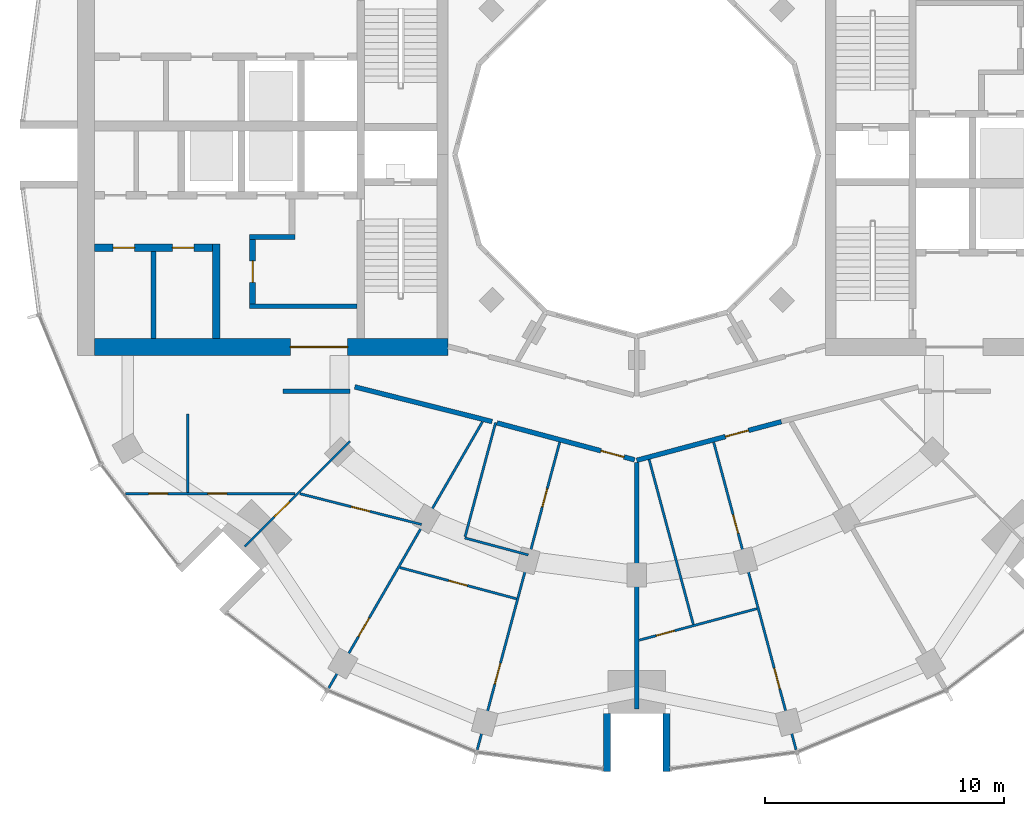
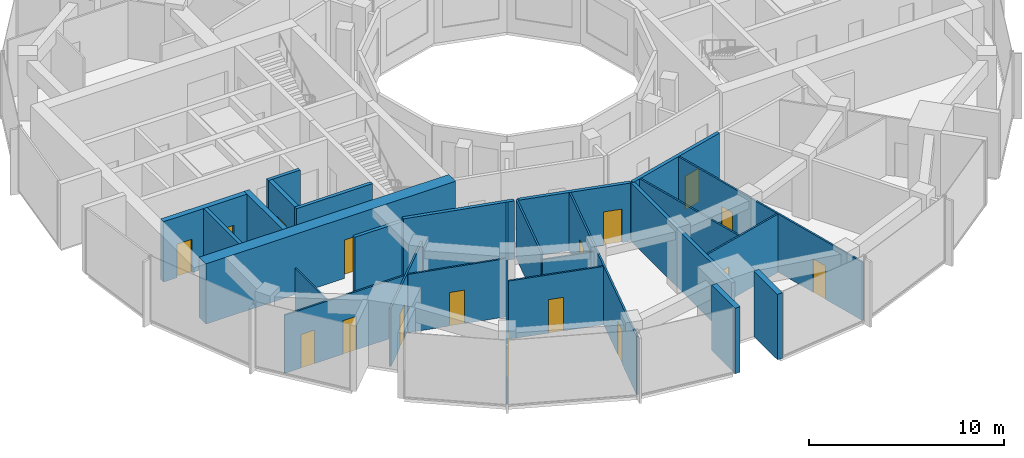
# One storey, part 8 of 15: 26 walls, 17 doors, 17 openings.
"""IFC4 building model written with IfcOpenShell, lengths in metres."""

from ifc_helpers import new_model, si_unit, direction, frame, frame_2d, origin, place, context, subcontext, project, spatial, rectangle, extrude, material, layer, layer_set, type_object, element, fill, save


model = new_model("IFC4")

# Units and contexts
model_context = context("Model", 3, precision=1e-05, world=origin(), true_north=direction((0.0, 1.0)))
body_context = subcontext(model_context, "Body", "Model", "MODEL_VIEW")
ifc_project = project(units=[si_unit("LENGTHUNIT", "METRE"), si_unit("AREAUNIT", "SQUARE_METRE"), si_unit("VOLUMEUNIT", "CUBIC_METRE"), si_unit("PLANEANGLEUNIT", "RADIAN"), si_unit("MASSUNIT", "GRAM", prefix="KILO")], contexts=[model_context])

# Site, building, storey
site_placement = place(None, origin())
site = spatial("IfcSite", under=ifc_project, at=site_placement, CompositionType="ELEMENT")
building_placement = place(site_placement, origin())
building = spatial("IfcBuilding", under=site, at=building_placement, Name="Torre Brocal", CompositionType="ELEMENT")
storey_placement = place(building_placement, frame((0.0, 0.0, 161.800048828125)))
storey = spatial("IfcBuildingStorey", under=building, at=storey_placement, Name="L37", CompositionType="ELEMENT", Elevation=161.800048828125)

# Walls
ifc_material_1 = material(Name="Masonry block", Category="masonry")
ifc_layer_1 = layer(ifc_material_1, 0.199951171875)
ifc_layer_set_1 = layer_set([ifc_layer_1], Name="Masonry block")
wall_type_1 = type_object("IfcWallType", Name="CORE PARTITION 200", PredefinedType="PARTITIONING", material=ifc_layer_set_1)
wall_1_placement = place(storey_placement, frame((59.77490234375, 70.949951171875, 0.0), z_axis=(0.0, 0.0, 1.0), x_axis=(0.0, -1.0, 0.0)))
element("IfcWall", 1, at=wall_1_placement, inside=storey, type_object=wall_type_1, Name="Wall CP200", PredefinedType="PARTITIONING", context=body_context, shape_type="SweptSolid", body=[
    extrude(rectangle(XDim=3.64990234375, YDim=0.199951171875, at=frame_2d((1.824951171875, 0.0))), origin(), (0.0, 0.0, 1.0), 3.780029296875),
])
ifc_material_2 = material(Name="Concrete C70", Category="concrete")
ifc_layer_2 = layer(ifc_material_2, 0.199951171875)
ifc_layer_set_2 = layer_set([ifc_layer_2], Name="Concrete C70")
wall_type_2 = type_object("IfcWallType", Name="CORE WALL 200 C70", PredefinedType="SHEAR", material=ifc_layer_set_2)
wall_2_placement = place(storey_placement, frame((68.300048828125, 68.64990234375, 0.0), z_axis=(0.0, 0.0, 1.0), x_axis=(-1.0, 0.0, 0.0)))
element("IfcWall", 2, at=wall_2_placement, inside=storey, type_object=wall_type_2, Name="Wall CW200-70", PredefinedType="SHEAR", context=body_context, shape_type="SweptSolid", body=[
    extrude(rectangle(XDim=4.5, YDim=0.199951171875, at=frame_2d((2.25, 0.0))), origin(), (0.0, 0.0, 1.0), 3.780029296875),
])
wall_3_placement = place(storey_placement, frame((65.699951171875, 71.550048828125, 0.0), z_axis=(0.0, 0.0, 1.0), x_axis=(-1.0, 0.0, 0.0)))
element("IfcWall", 3, at=wall_3_placement, inside=storey, type_object=wall_type_2, Name="Wall CW200-70", PredefinedType="SHEAR", context=body_context, shape_type="SweptSolid", body=[
    extrude(rectangle(XDim=1.89990234375, YDim=0.199951171875, at=frame_2d((0.949951171875, 0.0))), origin(), (0.0, 0.0, 1.0), 3.780029296875),
])

# Wall, opening, door
ifc_material_3 = material(Name="Concrete C70", Category="concrete")
ifc_layer_3 = layer(ifc_material_3, 0.25)
ifc_layer_set_3 = layer_set([ifc_layer_3], Name="Concrete C70")
wall_type_3 = type_object("IfcWallType", Name="CORE WALL 250 C70", PredefinedType="SHEAR", material=ifc_layer_set_3)
wall_4_placement = place(storey_placement, frame((63.925048828125, 71.449951171875, 0.0), z_axis=(0.0, 0.0, 1.0), x_axis=(0.0, -1.0, 0.0)))
wall_4 = element("IfcWall", 4, at=wall_4_placement, inside=storey, type_object=wall_type_3, Name="Wall CW250-70", PredefinedType="SHEAR", context=body_context, shape_type="SweptSolid", body=[
    extrude(rectangle(XDim=2.699951171875, YDim=0.25, at=frame_2d((1.35009765625, 0.0))), origin(), (0.0, 0.0, 1.0), 3.780029296875),
])
opening_1_placement = place(wall_4_placement, frame((0.89990234375, 0.0, 0.0)))
opening_1 = element("IfcOpeningElement", 5, at=opening_1_placement, cuts=wall_4, Name="Opening W-D08", PredefinedType="OPENING", context=body_context, shape_type="SweptSolid", body=[
    extrude(rectangle(XDim=0.89990234375, YDim=2.10009765625, at=frame_2d((0.449951171875, 1.050048828125))), frame((0.0, 0.135009765625, 0.0), z_axis=(0.0, -1.0, 0.0), x_axis=(1.0, 0.0, 0.0)), (0.0, 0.0, 1.0), 0.27001953125),
])
ifc_material_4 = material(Name="Steel A653", Category="steel")
door_type_1 = type_object("IfcDoorType", Name="LOBBY DOOR FD120 900X2100", OperationType="SINGLE_SWING_RIGHT", PredefinedType="DOOR", material=ifc_material_4)
door_1_placement = place(opening_1_placement, origin())
door_1 = element("IfcDoor", 6, at=door_1_placement, inside=storey, type_object=door_type_1, Name="Door W-D08", OperationType="SINGLE_SWING_LEFT", OverallHeight=2.10009765625, OverallWidth=0.89990234375, PredefinedType="DOOR", context=body_context, shape_type="SweptSolid", body=[
    extrude(rectangle(XDim=0.89990234375, YDim=2.10009765625, at=frame_2d((0.449951171875, 1.050048828125))), frame((0.0, 0.02490234375, 0.0), z_axis=(0.0, -1.0, 0.0), x_axis=(1.0, 0.0, 0.0)), (0.0, 0.0, 1.0), 0.050048828125),
])
fill(opening_1, door_1)

# Wall
ifc_material_5 = material(Name="Concrete C70", Category="concrete")
ifc_layer_4 = layer(ifc_material_5, 0.300048828125)
ifc_layer_set_4 = layer_set([ifc_layer_4], Name="Concrete C70")
wall_type_4 = type_object("IfcWallType", Name="CORE WALL 300 C70", PredefinedType="SHEAR", material=ifc_layer_set_4)
wall_5_placement = place(storey_placement, frame((62.39990234375, 71.25, 0.0), z_axis=(0.0, 0.0, 1.0), x_axis=(0.0, -1.0, 0.0)))
element("IfcWall", 7, at=wall_5_placement, inside=storey, type_object=wall_type_4, Name="Wall CW300-70", PredefinedType="SHEAR", context=body_context, shape_type="SweptSolid", body=[
    extrude(rectangle(XDim=3.949951171875, YDim=0.300048828125, at=frame_2d((1.97509765625, 0.0))), origin(), (0.0, 0.0, 1.0), 3.780029296875),
])

# Wall, openings, doors
wall_6_placement = place(storey_placement, frame((62.25, 71.10009765625, 0.0), z_axis=(0.0, 0.0, 1.0), x_axis=(-1.0, 0.0, 0.0)))
wall_6 = element("IfcWall", 8, at=wall_6_placement, inside=storey, type_object=wall_type_4, Name="Wall CW300-70", PredefinedType="SHEAR", context=body_context, shape_type="SweptSolid", body=[
    extrude(rectangle(XDim=4.949951171875, YDim=0.300048828125, at=frame_2d((2.47509765625, 0.0))), origin(), (0.0, 0.0, 1.0), 3.780029296875),
])
opening_2_placement = place(wall_6_placement, frame((0.78759765625, 0.0, 0.0)))
opening_2 = element("IfcOpeningElement", 9, at=opening_2_placement, cuts=wall_6, Name="Opening W-D09", PredefinedType="OPENING", context=body_context, shape_type="SweptSolid", body=[
    extrude(rectangle(XDim=0.89990234375, YDim=2.10009765625, at=frame_2d((0.449951171875, 1.050048828125))), frame((0.0, 0.159912109375, 0.0), z_axis=(0.0, -1.0, 0.0), x_axis=(1.0, 0.0, 0.0)), (0.0, 0.0, 1.0), 0.320068359375),
])
opening_3_placement = place(wall_6_placement, frame((3.262451171875, 0.0, 0.0)))
opening_3 = element("IfcOpeningElement", 10, at=opening_3_placement, cuts=wall_6, Name="Opening W-D10", PredefinedType="OPENING", context=body_context, shape_type="SweptSolid", body=[
    extrude(rectangle(XDim=0.89990234375, YDim=2.10009765625, at=frame_2d((0.449951171875, 1.050048828125))), frame((0.0, 0.159912109375, 0.0), z_axis=(0.0, -1.0, 0.0), x_axis=(1.0, 0.0, 0.0)), (0.0, 0.0, 1.0), 0.320068359375),
])
ifc_material_6 = material(Name="Steel A653", Category="steel")
door_type_2 = type_object("IfcDoorType", Name="ROOM DOOR FD30S 900X2100", OperationType="SINGLE_SWING_LEFT", PredefinedType="DOOR", material=ifc_material_6)
door_2_placement = place(opening_2_placement, origin())
door_2 = element("IfcDoor", 11, at=door_2_placement, inside=storey, type_object=door_type_2, Name="Door W-D09", OperationType="SINGLE_SWING_RIGHT", OverallHeight=2.10009765625, OverallWidth=0.89990234375, PredefinedType="DOOR", context=body_context, shape_type="SweptSolid", body=[
    extrude(rectangle(XDim=0.89990234375, YDim=2.10009765625, at=frame_2d((0.449951171875, 1.050048828125))), frame((0.0, 0.02490234375, 0.0), z_axis=(0.0, -1.0, 0.0), x_axis=(1.0, 0.0, 0.0)), (0.0, 0.0, 1.0), 0.050048828125),
])
fill(opening_2, door_2)
door_3_placement = place(opening_3_placement, origin())
door_3 = element("IfcDoor", 12, at=door_3_placement, inside=storey, type_object=door_type_2, Name="Door W-D10", OperationType="SINGLE_SWING_LEFT", OverallHeight=2.10009765625, OverallWidth=0.89990234375, PredefinedType="DOOR", context=body_context, shape_type="SweptSolid", body=[
    extrude(rectangle(XDim=0.89990234375, YDim=2.10009765625, at=frame_2d((0.449951171875, 1.050048828125))), frame((0.0, 0.02490234375, 0.0), z_axis=(0.0, -1.0, 0.0), x_axis=(1.0, 0.0, 0.0)), (0.0, 0.0, 1.0), 0.050048828125),
])
fill(opening_3, door_3)

# Wall, opening, door
ifc_material_7 = material(Name="Concrete C70", Category="concrete")
ifc_layer_5 = layer(ifc_material_7, 0.699951171875)
ifc_layer_set_5 = layer_set([ifc_layer_5], Name="Concrete C70")
wall_type_5 = type_object("IfcWallType", Name="CORE WALL 700 C70", PredefinedType="SHEAR", material=ifc_layer_set_5)
wall_7_placement = place(storey_placement, frame((72.10009765625, 66.949951171875, 0.0), z_axis=(0.0, 0.0, 1.0), x_axis=(-1.0, 0.0, 0.0)))
wall_7 = element("IfcWall", 13, at=wall_7_placement, inside=storey, type_object=wall_type_5, Name="Wall CW700-70", PredefinedType="SHEAR", context=body_context, shape_type="SweptSolid", body=[
    extrude(rectangle(XDim=14.800048828125, YDim=0.699951171875, at=frame_2d((7.39990234375, 0.0))), origin(), (0.0, 0.0, 1.0), 3.780029296875),
])
opening_4_placement = place(wall_7_placement, frame((4.199951171875, 0.0, 0.0)))
opening_4 = element("IfcOpeningElement", 14, at=opening_4_placement, cuts=wall_7, Name="Opening W-D34", PredefinedType="OPENING", context=body_context, shape_type="SweptSolid", body=[
    extrude(rectangle(XDim=2.39990234375, YDim=2.39990234375, at=frame_2d((1.199951171875, 1.199951171875))), frame((0.0, 0.35986328125, 0.0), z_axis=(0.0, -1.0, 0.0), x_axis=(1.0, 0.0, 0.0)), (0.0, 0.0, 1.0), 0.719970703125),
])
ifc_material_8 = material(Name="Steel A653", Category="steel")
door_type_3 = type_object("IfcDoorType", Name="DOUBLE FIRE DOOR FD90 2400X2400", OperationType="DOUBLE_DOOR_SINGLE_SWING", PredefinedType="DOOR", material=ifc_material_8)
door_4_placement = place(opening_4_placement, frame((2.39990234375, 0.0, 0.0), z_axis=(0.0, 0.0, 1.0), x_axis=(-1.0, 0.0, 0.0)))
door_4 = element("IfcDoor", 15, at=door_4_placement, inside=storey, type_object=door_type_3, Name="Door W-D34", OperationType="DOUBLE_DOOR_SINGLE_SWING", OverallHeight=2.39990234375, OverallWidth=2.39990234375, PredefinedType="DOOR", context=body_context, shape_type="SweptSolid", body=[
    extrude(rectangle(XDim=2.39990234375, YDim=2.39990234375, at=frame_2d((1.199951171875, 1.199951171875))), frame((0.0, 0.02490234375, 0.0), z_axis=(0.0, -1.0, 0.0), x_axis=(1.0, 0.0, 0.0)), (0.0, 0.0, 1.0), 0.050048828125),
])
fill(opening_4, door_4)

# Walls
ifc_material_9 = material(Name="Concrete C70", Category="concrete")
ifc_layer_6 = layer(ifc_material_9, 0.300048828125)
ifc_layer_set_6 = layer_set([ifc_layer_6], Name="Concrete C70")
wall_type_6 = type_object("IfcWallType", Name="NOTCH RETURN WALL 300 C70", PredefinedType="NOTDEFINED", material=ifc_layer_set_6)
for number, where, z_axis, x_axis, name in (
    (16, (78.75, 51.60009765625, 0.0), (0.0, 0.0, 1.0), (0.0, -1.0, 0.0), "NOTCH RETURN WALL"),
    (17, (81.25, 51.60009765625, 0.0), (0.0, 0.0, 1.0), (0.0, -1.0, 0.0), "NOTCH RETURN WALL"),
):
    element("IfcWall", number, at=place(storey_placement, frame(where, z_axis=z_axis, x_axis=x_axis)), inside=storey, type_object=wall_type_6, Name=name, PredefinedType="NOTDEFINED", context=body_context, shape_type="SweptSolid", body=[
        extrude(rectangle(XDim=2.415771484375, YDim=0.300048828125, at=frame_2d((1.2080078125, 0.0))), origin(), (0.0, 0.0, 1.0), 4.099853515625),
    ])

# Wall, openings, doors
ifc_material_10 = material(Name="Gypsum board", Category="Gypsum")
ifc_layer_7 = layer(ifc_material_10, 0.10009765625)
ifc_layer_set_7 = layer_set([ifc_layer_7], Name="Gypsum board")
wall_type_7 = type_object("IfcWallType", Name="PARTITION 100", PredefinedType="PARTITIONING", material=ifc_layer_set_7)
wall_8_placement = place(storey_placement, frame((58.60009765625, 60.81201171875, 0.0), z_axis=(0.0, 0.0, 1.0), x_axis=(1.0, 0.0, 0.0)))
wall_8 = element("IfcWall", 18, at=wall_8_placement, inside=storey, type_object=wall_type_7, Name="BATHROOM WALL", PredefinedType="PARTITIONING", context=body_context, shape_type="SweptSolid", body=[
    extrude(rectangle(XDim=7.091796875, YDim=0.10009765625, at=frame_2d((3.5458984375, 0.0))), origin(), (0.0, 0.0, 1.0), 3.64990234375),
])
opening_5_placement = place(wall_8_placement, frame((3.446044921875, 0.0, 0.0)))
opening_5 = element("IfcOpeningElement", 19, at=opening_5_placement, cuts=wall_8, Name="Opening R01-D33", PredefinedType="OPENING", context=body_context, shape_type="SweptSolid", body=[
    extrude(rectangle(XDim=0.800048828125, YDim=2.10009765625, at=frame_2d((0.39990234375, 1.050048828125))), frame((0.0, 0.06005859375, 0.0), z_axis=(0.0, -1.0, 0.0), x_axis=(1.0, 0.0, 0.0)), (0.0, 0.0, 1.0), 0.1201171875),
])
opening_6_placement = place(wall_8_placement, frame((0.965087890625, 0.0, 0.0)))
opening_6 = element("IfcOpeningElement", 20, at=opening_6_placement, cuts=wall_8, Name="Opening R01-D34", PredefinedType="OPENING", context=body_context, shape_type="SweptSolid", body=[
    extrude(rectangle(XDim=0.800048828125, YDim=2.10009765625, at=frame_2d((0.39990234375, 1.050048828125))), frame((0.0, 0.06005859375, 0.0), z_axis=(0.0, -1.0, 0.0), x_axis=(1.0, 0.0, 0.0)), (0.0, 0.0, 1.0), 0.1201171875),
])
ifc_material_11 = material(Name="Timber", Category="wood")
door_type_4 = type_object("IfcDoorType", Name="BATHROOM DOOR 800X2100", OperationType="SINGLE_SWING_LEFT", PredefinedType="DOOR", material=ifc_material_11)
door_5_placement = place(opening_5_placement, origin())
door_5 = element("IfcDoor", 21, at=door_5_placement, inside=storey, type_object=door_type_4, Name="R01-D33", OperationType="SINGLE_SWING_LEFT", OverallHeight=2.10009765625, OverallWidth=0.800048828125, PredefinedType="DOOR", context=body_context, shape_type="SweptSolid", body=[
    extrude(rectangle(XDim=0.800048828125, YDim=2.10009765625, at=frame_2d((0.39990234375, 1.050048828125))), frame((0.0, 0.02490234375, 0.0), z_axis=(0.0, -1.0, 0.0), x_axis=(1.0, 0.0, 0.0)), (0.0, 0.0, 1.0), 0.050048828125),
])
fill(opening_5, door_5)
door_6_placement = place(opening_6_placement, frame((0.800048828125, 0.0, 0.0), z_axis=(0.0, 0.0, 1.0), x_axis=(-1.0, 0.0, 0.0)))
door_6 = element("IfcDoor", 22, at=door_6_placement, inside=storey, type_object=door_type_4, Name="R01-D34", OperationType="SINGLE_SWING_RIGHT", OverallHeight=2.10009765625, OverallWidth=0.800048828125, PredefinedType="DOOR", context=body_context, shape_type="SweptSolid", body=[
    extrude(rectangle(XDim=0.800048828125, YDim=2.10009765625, at=frame_2d((0.39990234375, 1.050048828125))), frame((0.0, 0.02490234375, 0.0), z_axis=(0.0, -1.0, 0.0), x_axis=(1.0, 0.0, 0.0)), (0.0, 0.0, 1.0), 0.050048828125),
])
fill(opening_6, door_6)

# Wall
wall_9_placement = place(storey_placement, frame((61.199951171875, 60.862060546875, 0.0), z_axis=(0.0, 0.0, 1.0), x_axis=(0.0, 1.0, 0.0)))
element("IfcWall", 23, at=wall_9_placement, inside=storey, type_object=wall_type_7, Name="BATHROOM WALL", PredefinedType="PARTITIONING", context=body_context, shape_type="SweptSolid", body=[
    extrude(rectangle(XDim=3.282958984375, YDim=0.10009765625, at=frame_2d((1.6416015625, 0.0))), origin(), (0.0, 0.0, 1.0), 3.64990234375),
])

# Wall, opening, door
wall_10_placement = place(storey_placement, frame((63.593017578125, 58.59814453125, 0.0), z_axis=(0.0, 0.0, 1.0), x_axis=(0.707243952197, 0.706969583561, 0.0)))
wall_10 = element("IfcWall", 24, at=wall_10_placement, inside=storey, type_object=wall_type_7, Name="BATHROOM WALL", PredefinedType="PARTITIONING", context=body_context, shape_type="SweptSolid", body=[
    extrude(rectangle(XDim=6.228759765625, YDim=0.10009765625, at=frame_2d((3.1142578125, 0.0))), origin(), (0.0, 0.0, 1.0), 3.64990234375),
])
opening_7_placement = place(wall_10_placement, frame((1.752197265625, 0.0, 0.0)))
opening_7 = element("IfcOpeningElement", 25, at=opening_7_placement, cuts=wall_10, Name="Opening R01-D32", PredefinedType="OPENING", context=body_context, shape_type="SweptSolid", body=[
    extrude(rectangle(XDim=0.89990234375, YDim=2.10009765625, at=frame_2d((0.449951171875, 1.050048828125))), frame((0.0, 0.06005859375, 0.0), z_axis=(0.0, -1.0, 0.0), x_axis=(1.0, 0.0, 0.0)), (0.0, 0.0, 1.0), 0.1201171875),
])
ifc_material_12 = material(Name="Timber", Category="wood")
door_type_5 = type_object("IfcDoorType", Name="ROOM DOOR 900X2100", OperationType="SINGLE_SWING_LEFT", PredefinedType="DOOR", material=ifc_material_12)
door_7_placement = place(opening_7_placement, origin())
door_7 = element("IfcDoor", 26, at=door_7_placement, inside=storey, type_object=door_type_5, Name="R01-D32", OperationType="SINGLE_SWING_LEFT", OverallHeight=2.10009765625, OverallWidth=0.89990234375, PredefinedType="DOOR", context=body_context, shape_type="SweptSolid", body=[
    extrude(rectangle(XDim=0.89990234375, YDim=2.10009765625, at=frame_2d((0.449951171875, 1.050048828125))), frame((0.0, 0.02490234375, 0.0), z_axis=(0.0, -1.0, 0.0), x_axis=(1.0, 0.0, 0.0)), (0.0, 0.0, 1.0), 0.050048828125),
])
fill(opening_7, door_7)

wall_11_placement = place(storey_placement, frame((65.903564453125, 60.806396484375, 0.0), z_axis=(0.0, 0.0, 1.0), x_axis=(0.969477107154, -0.245181848237, 0.0)))
wall_11 = element("IfcWall", 27, at=wall_11_placement, inside=storey, type_object=wall_type_7, Name="BATHROOM WALL", PredefinedType="PARTITIONING", context=body_context, shape_type="SweptSolid", body=[
    extrude(rectangle(XDim=5.251708984375, YDim=0.10009765625, at=frame_2d((2.6259765625, 0.0))), origin(), (0.0, 0.0, 1.0), 3.64990234375),
])
opening_8_placement = place(wall_11_placement, frame((2.2158203125, 0.0, 0.0)))
opening_8 = element("IfcOpeningElement", 28, at=opening_8_placement, cuts=wall_11, Name="Opening R01-D31", PredefinedType="OPENING", context=body_context, shape_type="SweptSolid", body=[
    extrude(rectangle(XDim=0.800048828125, YDim=2.10009765625, at=frame_2d((0.39990234375, 1.050048828125))), frame((0.0, 0.06005859375, 0.0), z_axis=(0.0, -1.0, 0.0), x_axis=(1.0, 0.0, 0.0)), (0.0, 0.0, 1.0), 0.1201171875),
])
door_8_placement = place(opening_8_placement, origin())
door_8 = element("IfcDoor", 29, at=door_8_placement, inside=storey, type_object=door_type_4, Name="R01-D31", OperationType="SINGLE_SWING_LEFT", OverallHeight=2.10009765625, OverallWidth=0.800048828125, PredefinedType="DOOR", context=body_context, shape_type="SweptSolid", body=[
    extrude(rectangle(XDim=0.800048828125, YDim=2.10009765625, at=frame_2d((0.39990234375, 1.050048828125))), frame((0.0, 0.02490234375, 0.0), z_axis=(0.0, -1.0, 0.0), x_axis=(1.0, 0.0, 0.0)), (0.0, 0.0, 1.0), 0.050048828125),
])
fill(opening_8, door_8)

wall_12_placement = place(storey_placement, frame((67.10107421875, 52.65869140625, 0.0), z_axis=(0.0, 0.0, 1.0), x_axis=(0.499985055897, 0.866034031594, 0.0)))
wall_12 = element("IfcWall", 30, at=wall_12_placement, inside=storey, type_object=wall_type_7, Name="BATHROOM WALL", PredefinedType="PARTITIONING", context=body_context, shape_type="SweptSolid", body=[
    extrude(rectangle(XDim=12.87646484375, YDim=0.10009765625, at=frame_2d((6.438232421875, 0.0))), origin(), (0.0, 0.0, 1.0), 3.64990234375),
])
opening_9_placement = place(wall_12_placement, frame((2.504150390625, 0.0, 0.0)))
opening_9 = element("IfcOpeningElement", 31, at=opening_9_placement, cuts=wall_12, Name="Opening R01-D30", PredefinedType="OPENING", context=body_context, shape_type="SweptSolid", body=[
    extrude(rectangle(XDim=0.89990234375, YDim=2.10009765625, at=frame_2d((0.449951171875, 1.050048828125))), frame((0.0, 0.06005859375, 0.0), z_axis=(0.0, -1.0, 0.0), x_axis=(1.0, 0.0, 0.0)), (0.0, 0.0, 1.0), 0.1201171875),
])
door_9_placement = place(opening_9_placement, origin())
door_9 = element("IfcDoor", 32, at=door_9_placement, inside=storey, type_object=door_type_5, Name="R01-D30", OperationType="SINGLE_SWING_LEFT", OverallHeight=2.10009765625, OverallWidth=0.89990234375, PredefinedType="DOOR", context=body_context, shape_type="SweptSolid", body=[
    extrude(rectangle(XDim=0.89990234375, YDim=2.10009765625, at=frame_2d((0.449951171875, 1.050048828125))), frame((0.0, 0.02490234375, 0.0), z_axis=(0.0, -1.0, 0.0), x_axis=(1.0, 0.0, 0.0)), (0.0, 0.0, 1.0), 0.050048828125),
])
fill(opening_9, door_9)

wall_13_placement = place(storey_placement, frame((70.087890625, 57.716552734375, 0.0), z_axis=(0.0, 0.0, 1.0), x_axis=(0.965906836082, -0.258889907124, 0.0)))
wall_13 = element("IfcWall", 33, at=wall_13_placement, inside=storey, type_object=wall_type_7, Name="BATHROOM WALL", PredefinedType="PARTITIONING", context=body_context, shape_type="SweptSolid", body=[
    extrude(rectangle(XDim=5.05078125, YDim=0.10009765625, at=frame_2d((2.525390625, 0.0))), origin(), (0.0, 0.0, 1.0), 3.64990234375),
])
opening_10_placement = place(wall_13_placement, frame((2.12060546875, 0.0, 0.0)))
opening_10 = element("IfcOpeningElement", 34, at=opening_10_placement, cuts=wall_13, Name="Opening R01-D28", PredefinedType="OPENING", context=body_context, shape_type="SweptSolid", body=[
    extrude(rectangle(XDim=0.800048828125, YDim=2.10009765625, at=frame_2d((0.39990234375, 1.050048828125))), frame((0.0, 0.06005859375, 0.0), z_axis=(0.0, -1.0, 0.0), x_axis=(1.0, 0.0, 0.0)), (0.0, 0.0, 1.0), 0.1201171875),
])
door_10_placement = place(opening_10_placement, origin())
door_10 = element("IfcDoor", 35, at=door_10_placement, inside=storey, type_object=door_type_4, Name="R01-D28", OperationType="SINGLE_SWING_LEFT", OverallHeight=2.10009765625, OverallWidth=0.800048828125, PredefinedType="DOOR", context=body_context, shape_type="SweptSolid", body=[
    extrude(rectangle(XDim=0.800048828125, YDim=2.10009765625, at=frame_2d((0.39990234375, 1.050048828125))), frame((0.0, 0.02490234375, 0.0), z_axis=(0.0, -1.0, 0.0), x_axis=(1.0, 0.0, 0.0)), (0.0, 0.0, 1.0), 0.050048828125),
])
fill(opening_10, door_10)

# Wall
wall_14_placement = place(storey_placement, frame((72.81494140625, 59.00439453125, 0.0), z_axis=(0.0, 0.0, 1.0), x_axis=(0.25878292514, 0.96593550388, 0.0)))
element("IfcWall", 36, at=wall_14_placement, inside=storey, type_object=wall_type_7, Name="BATHROOM WALL", PredefinedType="PARTITIONING", context=body_context, shape_type="SweptSolid", body=[
    extrude(rectangle(XDim=4.9501953125, YDim=0.10009765625, at=frame_2d((2.47509765625, 0.0))), origin(), (0.0, 0.0, 1.0), 3.64990234375),
])

# Wall, openings, doors
wall_15_placement = place(storey_placement, frame((73.322021484375, 50.0810546875, 0.0), z_axis=(0.0, 0.0, 1.0), x_axis=(0.258982801816, 0.965881932931, 0.0)))
wall_15 = element("IfcWall", 37, at=wall_15_placement, inside=storey, type_object=wall_type_7, Name="BATHROOM WALL", PredefinedType="PARTITIONING", context=body_context, shape_type="SweptSolid", body=[
    extrude(rectangle(XDim=13.338134765625, YDim=0.10009765625, at=frame_2d((6.6689453125, 0.0))), origin(), (0.0, 0.0, 1.0), 3.64990234375),
])
opening_11_placement = place(wall_15_placement, frame((2.853759765625, 0.0, 0.0)))
opening_11 = element("IfcOpeningElement", 38, at=opening_11_placement, cuts=wall_15, Name="Opening R01-D27", PredefinedType="OPENING", context=body_context, shape_type="SweptSolid", body=[
    extrude(rectangle(XDim=0.89990234375, YDim=2.10009765625, at=frame_2d((0.449951171875, 1.050048828125))), frame((0.0, 0.06005859375, 0.0), z_axis=(0.0, -1.0, 0.0), x_axis=(1.0, 0.0, 0.0)), (0.0, 0.0, 1.0), 0.1201171875),
])
opening_12_placement = place(wall_15_placement, frame((10.5283203125, 0.0, 0.0)))
opening_12 = element("IfcOpeningElement", 39, at=opening_12_placement, cuts=wall_15, Name="Opening R01-D29", PredefinedType="OPENING", context=body_context, shape_type="SweptSolid", body=[
    extrude(rectangle(XDim=0.800048828125, YDim=2.10009765625, at=frame_2d((0.39990234375, 1.050048828125))), frame((0.0, 0.06005859375, 0.0), z_axis=(0.0, -1.0, 0.0), x_axis=(1.0, 0.0, 0.0)), (0.0, 0.0, 1.0), 0.1201171875),
])
door_11_placement = place(opening_12_placement, origin())
door_11 = element("IfcDoor", 40, at=door_11_placement, inside=storey, type_object=door_type_4, Name="R01-D29", OperationType="SINGLE_SWING_LEFT", OverallHeight=2.10009765625, OverallWidth=0.800048828125, PredefinedType="DOOR", context=body_context, shape_type="SweptSolid", body=[
    extrude(rectangle(XDim=0.800048828125, YDim=2.10009765625, at=frame_2d((0.39990234375, 1.050048828125))), frame((0.0, 0.02490234375, 0.0), z_axis=(0.0, -1.0, 0.0), x_axis=(1.0, 0.0, 0.0)), (0.0, 0.0, 1.0), 0.050048828125),
])
fill(opening_12, door_11)
door_12_placement = place(opening_11_placement, origin())
door_12 = element("IfcDoor", 41, at=door_12_placement, inside=storey, type_object=door_type_5, Name="R01-D27", OperationType="SINGLE_SWING_LEFT", OverallHeight=2.10009765625, OverallWidth=0.89990234375, PredefinedType="DOOR", context=body_context, shape_type="SweptSolid", body=[
    extrude(rectangle(XDim=0.89990234375, YDim=2.10009765625, at=frame_2d((0.449951171875, 1.050048828125))), frame((0.0, 0.02490234375, 0.0), z_axis=(0.0, -1.0, 0.0), x_axis=(1.0, 0.0, 0.0)), (0.0, 0.0, 1.0), 0.050048828125),
])
fill(opening_11, door_12)

# Wall, opening, door
wall_16_placement = place(storey_placement, frame((80.106201171875, 54.675537109375, 0.0), z_axis=(0.0, 0.0, 1.0), x_axis=(0.965976901679, 0.258628353863, 0.0)))
wall_16 = element("IfcWall", 42, at=wall_16_placement, inside=storey, type_object=wall_type_7, Name="BATHROOM WALL", PredefinedType="PARTITIONING", context=body_context, shape_type="SweptSolid", body=[
    extrude(rectangle(XDim=5.097412109375, YDim=0.10009765625, at=frame_2d((2.548828125, 0.0))), origin(), (0.0, 0.0, 1.0), 3.64990234375),
])
opening_13_placement = place(wall_16_placement, frame((0.7333984375, 0.0, 0.0)))
opening_13 = element("IfcOpeningElement", 43, at=opening_13_placement, cuts=wall_16, Name="Opening R01-D24", PredefinedType="OPENING", context=body_context, shape_type="SweptSolid", body=[
    extrude(rectangle(XDim=0.800048828125, YDim=2.10009765625, at=frame_2d((0.39990234375, 1.050048828125))), frame((0.0, 0.06005859375, 0.0), z_axis=(0.0, -1.0, 0.0), x_axis=(1.0, 0.0, 0.0)), (0.0, 0.0, 1.0), 0.1201171875),
])
door_13_placement = place(opening_13_placement, origin())
door_13 = element("IfcDoor", 44, at=door_13_placement, inside=storey, type_object=door_type_4, Name="R01-D24", OperationType="SINGLE_SWING_LEFT", OverallHeight=2.10009765625, OverallWidth=0.800048828125, PredefinedType="DOOR", context=body_context, shape_type="SweptSolid", body=[
    extrude(rectangle(XDim=0.800048828125, YDim=2.10009765625, at=frame_2d((0.39990234375, 1.050048828125))), frame((0.0, 0.02490234375, 0.0), z_axis=(0.0, -1.0, 0.0), x_axis=(1.0, 0.0, 0.0)), (0.0, 0.0, 1.0), 0.050048828125),
])
fill(opening_13, door_13)

# Wall
wall_17_placement = place(storey_placement, frame((80.519287109375, 62.2392578125, 0.0), z_axis=(0.0, 0.0, 1.0), x_axis=(0.25878046533, -0.965936162882, 0.0)))
element("IfcWall", 45, at=wall_17_placement, inside=storey, type_object=wall_type_7, Name="BATHROOM WALL", PredefinedType="PARTITIONING", context=body_context, shape_type="SweptSolid", body=[
    extrude(rectangle(XDim=7.1494140625, YDim=0.10009765625, at=frame_2d((3.57470703125, 0.0))), origin(), (0.0, 0.0, 1.0), 3.64990234375),
])

# Wall, openings, doors
wall_18_placement = place(storey_placement, frame((83.22509765625, 62.9541015625, 0.0), z_axis=(0.0, 0.0, 1.0), x_axis=(0.258715941946, -0.965953446799, 0.0)))
wall_18 = element("IfcWall", 46, at=wall_18_placement, inside=storey, type_object=wall_type_7, Name="BATHROOM WALL", PredefinedType="PARTITIONING", context=body_context, shape_type="SweptSolid", body=[
    extrude(rectangle(XDim=13.328369140625, YDim=0.10009765625, at=frame_2d((6.6640625, 0.0))), origin(), (0.0, 0.0, 1.0), 3.64990234375),
])
opening_14_placement = place(wall_18_placement, frame((9.783935546875, 0.0, 0.0)))
opening_14 = element("IfcOpeningElement", 47, at=opening_14_placement, cuts=wall_18, Name="Opening R01-D23", PredefinedType="OPENING", context=body_context, shape_type="SweptSolid", body=[
    extrude(rectangle(XDim=0.89990234375, YDim=2.10009765625, at=frame_2d((0.449951171875, 1.050048828125))), frame((0.0, 0.06005859375, 0.0), z_axis=(0.0, -1.0, 0.0), x_axis=(1.0, 0.0, 0.0)), (0.0, 0.0, 1.0), 0.1201171875),
])
opening_15_placement = place(wall_18_placement, frame((3.139892578125, 0.0, 0.0)))
opening_15 = element("IfcOpeningElement", 48, at=opening_15_placement, cuts=wall_18, Name="Opening R01-D25", PredefinedType="OPENING", context=body_context, shape_type="SweptSolid", body=[
    extrude(rectangle(XDim=0.800048828125, YDim=2.10009765625, at=frame_2d((0.39990234375, 1.050048828125))), frame((0.0, 0.06005859375, 0.0), z_axis=(0.0, -1.0, 0.0), x_axis=(1.0, 0.0, 0.0)), (0.0, 0.0, 1.0), 0.1201171875),
])
door_14_placement = place(opening_15_placement, frame((0.800048828125, 0.0, 0.0), z_axis=(0.0, 0.0, 1.0), x_axis=(-1.0, 0.0, 0.0)))
door_14 = element("IfcDoor", 49, at=door_14_placement, inside=storey, type_object=door_type_4, Name="R01-D25", OperationType="SINGLE_SWING_RIGHT", OverallHeight=2.10009765625, OverallWidth=0.800048828125, PredefinedType="DOOR", context=body_context, shape_type="SweptSolid", body=[
    extrude(rectangle(XDim=0.800048828125, YDim=2.10009765625, at=frame_2d((0.39990234375, 1.050048828125))), frame((0.0, 0.02490234375, 0.0), z_axis=(0.0, -1.0, 0.0), x_axis=(1.0, 0.0, 0.0)), (0.0, 0.0, 1.0), 0.050048828125),
])
fill(opening_15, door_14)
door_15_placement = place(opening_14_placement, frame((0.89990234375, 0.0, 0.0), z_axis=(0.0, 0.0, 1.0), x_axis=(-1.0, 0.0, 0.0)))
door_15 = element("IfcDoor", 50, at=door_15_placement, inside=storey, type_object=door_type_5, Name="R01-D23", OperationType="SINGLE_SWING_LEFT", OverallHeight=2.10009765625, OverallWidth=0.89990234375, PredefinedType="DOOR", context=body_context, shape_type="SweptSolid", body=[
    extrude(rectangle(XDim=0.89990234375, YDim=2.10009765625, at=frame_2d((0.449951171875, 1.050048828125))), frame((0.0, 0.02490234375, 0.0), z_axis=(0.0, -1.0, 0.0), x_axis=(1.0, 0.0, 0.0)), (0.0, 0.0, 1.0), 0.050048828125),
])
fill(opening_14, door_15)

# Walls
ifc_material_13 = material(Name="Gypsum board", Category="Gypsum")
ifc_layer_8 = layer(ifc_material_13, 0.10009765625)
ifc_layer_set_8 = layer_set([ifc_layer_8], Name="Gypsum board")
wall_type_8 = type_object("IfcWallType", Name="PARTITION 100 UNDER BEAM 820", PredefinedType="PARTITIONING", material=ifc_layer_set_8)
wall_19_placement = place(storey_placement, frame((72.802001953125, 58.9560546875, 0.0), z_axis=(0.0, 0.0, 1.0), x_axis=(0.965887802097, -0.258960911647, 0.0)))
element("IfcWall", 51, at=wall_19_placement, inside=storey, type_object=wall_type_8, Name="BATHROOM WALL", PredefinedType="PARTITIONING", context=body_context, shape_type="SweptSolid", body=[
    extrude(rectangle(XDim=2.75, YDim=0.10009765625, at=frame_2d((1.375, 0.0))), origin(), (0.0, 0.0, 1.0), 3.280029296875),
])
ifc_material_14 = material(Name="Gypsum board", Category="Gypsum")
ifc_layer_9 = layer(ifc_material_14, 0.199951171875)
ifc_layer_set_9 = layer_set([ifc_layer_9], Name="Gypsum board")
wall_type_9 = type_object("IfcWallType", Name="PARTITION 200 EI60", PredefinedType="PARTITIONING", material=ifc_layer_set_9)
wall_20_placement = place(storey_placement, frame((65.199951171875, 65.10009765625, 0.0), z_axis=(0.0, 0.0, 1.0), x_axis=(1.0, 0.0, 0.0)))
element("IfcWall", 52, at=wall_20_placement, inside=storey, type_object=wall_type_9, Name="GUESTROOM CORRIDOR WALL", PredefinedType="PARTITIONING", context=body_context, shape_type="SweptSolid", body=[
    extrude(rectangle(XDim=2.800048828125, YDim=0.199951171875, at=frame_2d((1.39990234375, 0.0))), origin(), (0.0, 0.0, 1.0), 3.64990234375),
])
wall_21_placement = place(storey_placement, frame((68.199951171875, 65.280029296875, 0.0), z_axis=(0.0, 0.0, 1.0), x_axis=(0.969450596516, -0.245286650503, 0.0)))
element("IfcWall", 53, at=wall_21_placement, inside=storey, type_object=wall_type_9, Name="CORRIDOR WALL", PredefinedType="PARTITIONING", context=body_context, shape_type="SweptSolid", body=[
    extrude(rectangle(XDim=5.92822265625, YDim=0.199951171875, at=frame_2d((2.964111328125, 0.0))), origin(), (0.0, 0.0, 1.0), 3.64990234375),
])

# Wall, opening, door
wall_22_placement = place(storey_placement, frame((74.14990234375, 63.771728515625, 0.0), z_axis=(0.0, 0.0, 1.0), x_axis=(0.965807109237, -0.259261697417, 0.0)))
wall_22 = element("IfcWall", 54, at=wall_22_placement, inside=storey, type_object=wall_type_9, Name="FLAT ENTRANCE WALL", PredefinedType="PARTITIONING", context=body_context, shape_type="SweptSolid", body=[
    extrude(rectangle(XDim=5.966552734375, YDim=0.199951171875, at=frame_2d((2.9833984375, 0.0))), origin(), (0.0, 0.0, 1.0), 3.64990234375),
])
opening_16_placement = place(wall_22_placement, frame((4.506591796875, 0.0, 0.0)))
opening_16 = element("IfcOpeningElement", 55, at=opening_16_placement, cuts=wall_22, Name="Opening R01-D26", PredefinedType="OPENING", context=body_context, shape_type="SweptSolid", body=[
    extrude(rectangle(XDim=1.0, YDim=2.10009765625, at=frame_2d((0.5, 1.050048828125))), frame((0.0, 0.10986328125, 0.0), z_axis=(0.0, -1.0, 0.0), x_axis=(1.0, 0.0, 0.0)), (0.0, 0.0, 1.0), 0.219970703125),
])
ifc_material_15 = material(Name="Timber", Category="wood")
door_type_6 = type_object("IfcDoorType", Name="FLAT ENTRY DOOR FD30S 1000X2100", OperationType="SINGLE_SWING_RIGHT", PredefinedType="DOOR", material=ifc_material_15)
door_16_placement = place(opening_16_placement, frame((1.0, 0.0, 0.0), z_axis=(0.0, 0.0, 1.0), x_axis=(-1.0, 0.0, 0.0)))
door_16 = element("IfcDoor", 56, at=door_16_placement, inside=storey, type_object=door_type_6, Name="R01-D26", OperationType="SINGLE_SWING_LEFT", OverallHeight=2.10009765625, OverallWidth=1.0, PredefinedType="DOOR", context=body_context, shape_type="SweptSolid", body=[
    extrude(rectangle(XDim=1.0, YDim=2.10009765625, at=frame_2d((0.5, 1.050048828125))), frame((0.0, 0.02490234375, 0.0), z_axis=(0.0, -1.0, 0.0), x_axis=(1.0, 0.0, 0.0)), (0.0, 0.0, 1.0), 0.050048828125),
])
fill(opening_16, door_16)

# Wall
wall_23_placement = place(storey_placement, frame((80.0, 51.800048828125, 0.0), z_axis=(0.0, 0.0, 1.0), x_axis=(0.0, 1.0, 0.0)))
element("IfcWall", 57, at=wall_23_placement, inside=storey, type_object=wall_type_9, Name="BATHROOM WALL", PredefinedType="PARTITIONING", context=body_context, shape_type="SweptSolid", body=[
    extrude(rectangle(XDim=10.31396484375, YDim=0.199951171875, at=frame_2d((5.156982421875, 0.0))), origin(), (0.0, 0.0, 1.0), 3.64990234375),
])

# Wall, opening, door
wall_24_placement = place(storey_placement, frame((80.0, 62.20458984375, 0.0), z_axis=(0.0, 0.0, 1.0), x_axis=(0.966104192593, 0.258152453124, 0.0)))
wall_24 = element("IfcWall", 58, at=wall_24_placement, inside=storey, type_object=wall_type_9, Name="FLAT ENTRANCE WALL", PredefinedType="PARTITIONING", context=body_context, shape_type="SweptSolid", body=[
    extrude(rectangle(XDim=6.266357421875, YDim=0.199951171875, at=frame_2d((3.13330078125, 0.0))), origin(), (0.0, 0.0, 1.0), 3.64990234375),
])
opening_17_placement = place(wall_24_placement, frame((3.84228515625, 0.0, 0.0)))
opening_17 = element("IfcOpeningElement", 59, at=opening_17_placement, cuts=wall_24, Name="Opening R01-D22", PredefinedType="OPENING", context=body_context, shape_type="SweptSolid", body=[
    extrude(rectangle(XDim=1.0, YDim=2.10009765625, at=frame_2d((0.5, 1.050048828125))), frame((0.0, 0.10986328125, 0.0), z_axis=(0.0, -1.0, 0.0), x_axis=(1.0, 0.0, 0.0)), (0.0, 0.0, 1.0), 0.219970703125),
])
door_17_placement = place(opening_17_placement, frame((1.0, 0.0, 0.0), z_axis=(0.0, 0.0, 1.0), x_axis=(-1.0, 0.0, 0.0)))
door_17 = element("IfcDoor", 60, at=door_17_placement, inside=storey, type_object=door_type_6, Name="R01-D22", OperationType="SINGLE_SWING_RIGHT", OverallHeight=2.10009765625, OverallWidth=1.0, PredefinedType="DOOR", context=body_context, shape_type="SweptSolid", body=[
    extrude(rectangle(XDim=1.0, YDim=2.10009765625, at=frame_2d((0.5, 1.050048828125))), frame((0.0, 0.02490234375, 0.0), z_axis=(0.0, -1.0, 0.0), x_axis=(1.0, 0.0, 0.0)), (0.0, 0.0, 1.0), 0.050048828125),
])
fill(opening_17, door_17)

save(model, "model.ifc")
